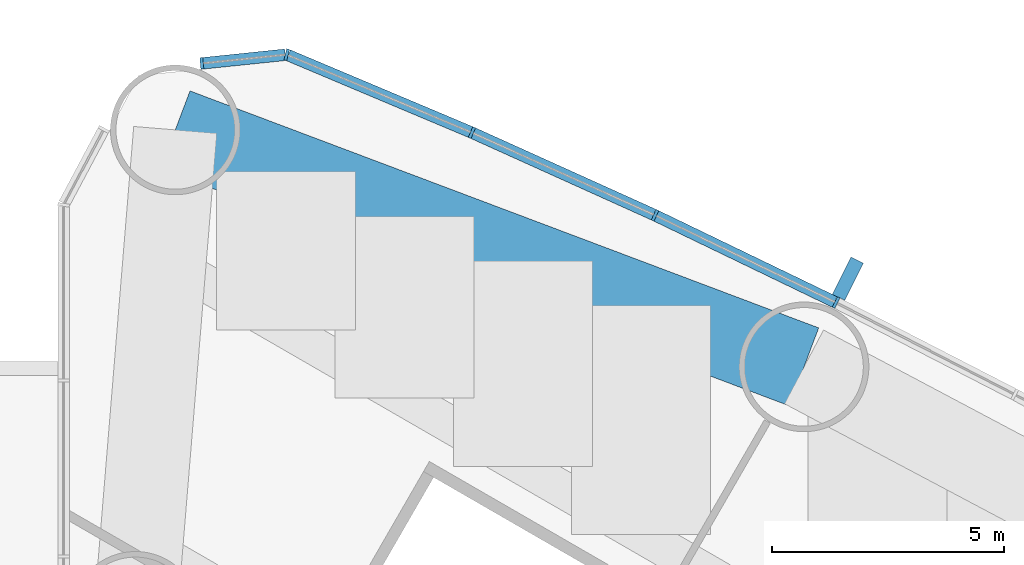
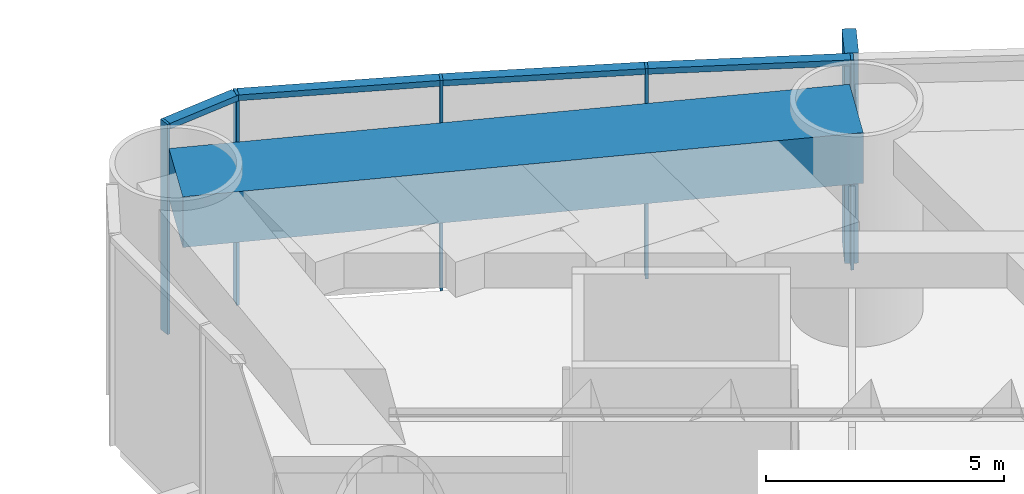
# One storey, part 12 of 23: 10 members, 1 beam, 1 element without a shape of its own.
"""IFC4 building model written with IfcOpenShell, lengths in metres."""

from ifc_helpers import new_model, si_unit, direction, frame, origin, origin_2d, place, context, subcontext, project, spatial, rectangle, extrude, material, material_profile, profile_set, type_object, element, aggregate, save


model = new_model("IFC4")

# Units and contexts
model_context = context("Model", 3, precision=1e-05, world=origin(), true_north=direction((0.0, 1.0)))
body_context = subcontext(model_context, "Body", "Model", "MODEL_VIEW")
ifc_project = project(units=[si_unit("LENGTHUNIT", "METRE"), si_unit("AREAUNIT", "SQUARE_METRE"), si_unit("VOLUMEUNIT", "CUBIC_METRE"), si_unit("PLANEANGLEUNIT", "RADIAN"), si_unit("MASSUNIT", "GRAM", prefix="KILO")], contexts=[model_context])

# Site, building, storey
site_placement = place(None, origin())
site = spatial("IfcSite", under=ifc_project, at=site_placement, CompositionType="ELEMENT")
building_placement = place(site_placement, origin())
building = spatial("IfcBuilding", under=site, at=building_placement, Name="Lancet Gate Hotel", CompositionType="ELEMENT")
storey_placement = place(building_placement, frame((0.0, 0.0, 12.60009765625)))
storey = spatial("IfcBuildingStorey", under=building, at=storey_placement, Name="L02", CompositionType="ELEMENT", Elevation=12.60009765625)

# Curtain wall, members
ifc_material_1 = material(Name="Aluminium curtain wall", Category="aluminium")
curtain_wall_type = type_object("IfcCurtainWallType", Name="Podium curtain wall", PredefinedType="USERDEFINED", material=ifc_material_1)
curtain_wall_placement = place(storey_placement, origin())
curtain_wall = element("IfcCurtainWall", 1, at=curtain_wall_placement, inside=storey, type_object=curtain_wall_type, Name="T2 L02 curtain wall 3", ObjectType="UNITISED CURTAIN WALL", PredefinedType="USERDEFINED")
ifc_material_2 = material(Name="Aluminium mullion", Category="aluminium")
ifc_material_profile_1 = material_profile(ifc_material_2, rectangle(XDim=0.06494140625, YDim=0.25, at=origin_2d()), Name="MULLION 65x250")
ifc_profile_set_1 = profile_set([ifc_material_profile_1], Name="Aluminium mullion")
member_type_1 = type_object("IfcMemberType", Name="Aluminium mullion 65x250", PredefinedType="MULLION", material=ifc_profile_set_1)
member_1_placement = place(storey_placement, frame((44.17529296875, 21.273681640625, 0.0), z_axis=(0.0, 0.0, 1.0), x_axis=(-0.895044147438, 0.445977548917, 0.0)))
member_1 = element("IfcMember", 2, at=member_1_placement, type_object=member_type_1, Name="T2 L02 curtain wall 3 mullion 10", PredefinedType="MULLION", context=body_context, shape_type="SweptSolid", body=[
    extrude(rectangle(XDim=0.06494140625, YDim=0.25, at=origin_2d()), origin(), (0.0, 0.0, 1.0), 5.39990234375),
])
member_2_placement = place(storey_placement, frame((40.2685546875, 23.15869140625, 0.0), z_axis=(0.0, 0.0, 1.0), x_axis=(-0.906104948671, 0.423052977762, 0.0)))
member_2 = element("IfcMember", 3, at=member_2_placement, type_object=member_type_1, Name="T2 L02 curtain wall 3 mullion 11", PredefinedType="MULLION", context=body_context, shape_type="SweptSolid", body=[
    extrude(rectangle(XDim=0.06494140625, YDim=0.25, at=origin_2d()), origin(), (0.0, 0.0, 1.0), 5.39990234375),
])
member_3_placement = place(storey_placement, frame((36.31494140625, 24.943603515625, 0.0), z_axis=(0.0, 0.0, 1.0), x_axis=(-0.916578705089, 0.399854320193, 0.0)))
member_3 = element("IfcMember", 4, at=member_3_placement, type_object=member_type_1, Name="T2 L02 curtain wall 3 mullion 12", PredefinedType="MULLION", context=body_context, shape_type="SweptSolid", body=[
    extrude(rectangle(XDim=0.06494140625, YDim=0.25, at=origin_2d()), origin(), (0.0, 0.0, 1.0), 5.39990234375),
])
member_4_placement = place(storey_placement, frame((32.3173828125, 26.62744140625, 0.0), z_axis=(0.0, 0.0, 1.0), x_axis=(-0.968721492963, 0.248150496819, 0.0)))
member_4 = element("IfcMember", 5, at=member_4_placement, type_object=member_type_1, Name="T2 L02 curtain wall 3 mullion 13", PredefinedType="MULLION", context=body_context, shape_type="SweptSolid", body=[
    extrude(rectangle(XDim=0.06494140625, YDim=0.25, at=origin_2d()), origin(), (0.0, 0.0, 1.0), 5.39990234375),
])
member_5_placement = place(storey_placement, frame((30.48388671875, 26.4375, 0.0), z_axis=(0.0, 0.0, 1.0), x_axis=(-0.994672262412, -0.10308778001, 0.0)))
member_5 = element("IfcMember", 6, at=member_5_placement, type_object=member_type_1, Name="T2 L02 curtain wall 3 mullion 14", PredefinedType="MULLION", context=body_context, shape_type="SweptSolid", body=[
    extrude(rectangle(XDim=0.06494140625, YDim=0.25, at=origin_2d()), origin(), (0.0, 0.0, 1.0), 5.39990234375),
])
ifc_material_3 = material(Name="Aluminium transom", Category="aluminium")
ifc_material_profile_2 = material_profile(ifc_material_3, rectangle(XDim=0.25, YDim=0.14990234375, at=origin_2d()), Name="TRANSOM 250x150")
ifc_profile_set_2 = profile_set([ifc_material_profile_2], Name="Aluminium transom")
member_type_2 = type_object("IfcMemberType", Name="Aluminium transom 250x150", PredefinedType="USERDEFINED", material=ifc_profile_set_2)
member_6_placement = place(storey_placement, frame((44.14599609375, 21.287841796875, 5.324951171875), z_axis=(-0.900646499888, 0.434552508035, 0.0), x_axis=(-0.434552508035, -0.900646499888, 0.0)))
member_6 = element("IfcMember", 7, at=member_6_placement, type_object=member_type_2, Name="T2 L02 curtain wall 3 transom 10", ObjectType="TRANSOM", PredefinedType="USERDEFINED", context=body_context, shape_type="SweptSolid", body=[
    extrude(rectangle(XDim=0.25, YDim=0.14990234375, at=origin_2d()), origin(), (0.0, 0.0, 1.0), 4.272705078125),
])
member_7_placement = place(storey_placement, frame((40.23876953125, 23.172119140625, 5.324951171875), z_axis=(-0.911396871737, 0.411528543589, 0.0), x_axis=(-0.411528543589, -0.911396871737, 0.0)))
member_7 = element("IfcMember", 8, at=member_7_placement, type_object=member_type_2, Name="T2 L02 curtain wall 3 transom 11", ObjectType="TRANSOM", PredefinedType="USERDEFINED", context=body_context, shape_type="SweptSolid", body=[
    extrude(rectangle(XDim=0.25, YDim=0.14990234375, at=origin_2d()), origin(), (0.0, 0.0, 1.0), 4.272705078125),
])
member_8_placement = place(storey_placement, frame((36.28515625, 24.956298828125, 5.324951171875), z_axis=(-0.92159772617, 0.388146404233, 0.0), x_axis=(-0.388146404233, -0.92159772617, 0.0)))
member_8 = element("IfcMember", 9, at=member_8_placement, type_object=member_type_2, Name="T2 L02 curtain wall 3 transom 12", ObjectType="TRANSOM", PredefinedType="USERDEFINED", context=body_context, shape_type="SweptSolid", body=[
    extrude(rectangle(XDim=0.25, YDim=0.14990234375, at=origin_2d()), origin(), (0.0, 0.0, 1.0), 4.272705078125),
])
member_9_placement = place(storey_placement, frame((32.28515625, 26.6240234375, 5.324951171875), z_axis=(-0.994670452051, -0.103105246306, 0.0), x_axis=(0.103105246306, -0.994670452051, 0.0)))
member_9 = element("IfcMember", 10, at=member_9_placement, type_object=member_type_2, Name="T2 L02 curtain wall 3 transom 13", ObjectType="TRANSOM", PredefinedType="USERDEFINED", context=body_context, shape_type="SweptSolid", body=[
    extrude(rectangle(XDim=0.25, YDim=0.14990234375, at=origin_2d()), origin(), (0.0, 0.0, 1.0), 1.7783203125),
])

# Beam
ifc_material_4 = material(Name="Concrete C50/60", Category="concrete")
ifc_material_profile_3 = material_profile(ifc_material_4, rectangle(XDim=1.800048828125, YDim=1.300048828125, at=origin_2d()), Name="RC 1800x1300")
ifc_profile_set_3 = profile_set([ifc_material_profile_3], Name="Concrete C50/60")
beam_type = type_object("IfcBeamType", Name="Edge beam RC 1800x1300", PredefinedType="SPANDREL", material=ifc_profile_set_3)
beam_placement = place(storey_placement, frame((43.484130859375, 19.886474609375, 4.5), z_axis=(-0.935736448066, 0.352700013836, 0.0), x_axis=(-0.352700013836, -0.935736448066, 0.0)))
element("IfcBeam", 11, at=beam_placement, inside=storey, type_object=beam_type, Name="T2 edge beam EB1 L02", PredefinedType="SPANDREL", context=body_context, shape_type="SweptSolid", body=[
    extrude(rectangle(XDim=1.800048828125, YDim=1.300048828125, at=origin_2d()), origin(), (0.0, 0.0, 1.0), 14.505126953125),
])

# Member
ifc_material_5 = material(Name="Precast concrete C50/60", Category="concrete")
ifc_material_profile_4 = material_profile(ifc_material_5, rectangle(XDim=0.300048828125, YDim=0.89990234375, at=origin_2d()), Name="FIN 300x900")
ifc_profile_set_4 = profile_set([ifc_material_profile_4], Name="Precast concrete C50/60")
member_type_3 = type_object("IfcMemberType", Name="Exposed concrete fin 300x900", PredefinedType="USERDEFINED", material=ifc_profile_set_4)
member_10_placement = place(storey_placement, frame((44.431640625, 21.788330078125, 0.0), z_axis=(0.0, 0.0, 1.0), x_axis=(-0.895044147438, 0.445977548917, 0.0)))
member_10 = element("IfcMember", 12, at=member_10_placement, type_object=member_type_3, Name="T2 L02 curtain wall 3 fin 10", ObjectType="FIN", PredefinedType="USERDEFINED", context=body_context, shape_type="SweptSolid", body=[
    extrude(rectangle(XDim=0.300048828125, YDim=0.89990234375, at=origin_2d()), origin(), (0.0, 0.0, 1.0), 5.39990234375),
])

aggregate(curtain_wall, [member_1, member_10, member_2, member_3, member_4, member_5, member_6, member_7, member_8, member_9])

save(model, "model.ifc")
